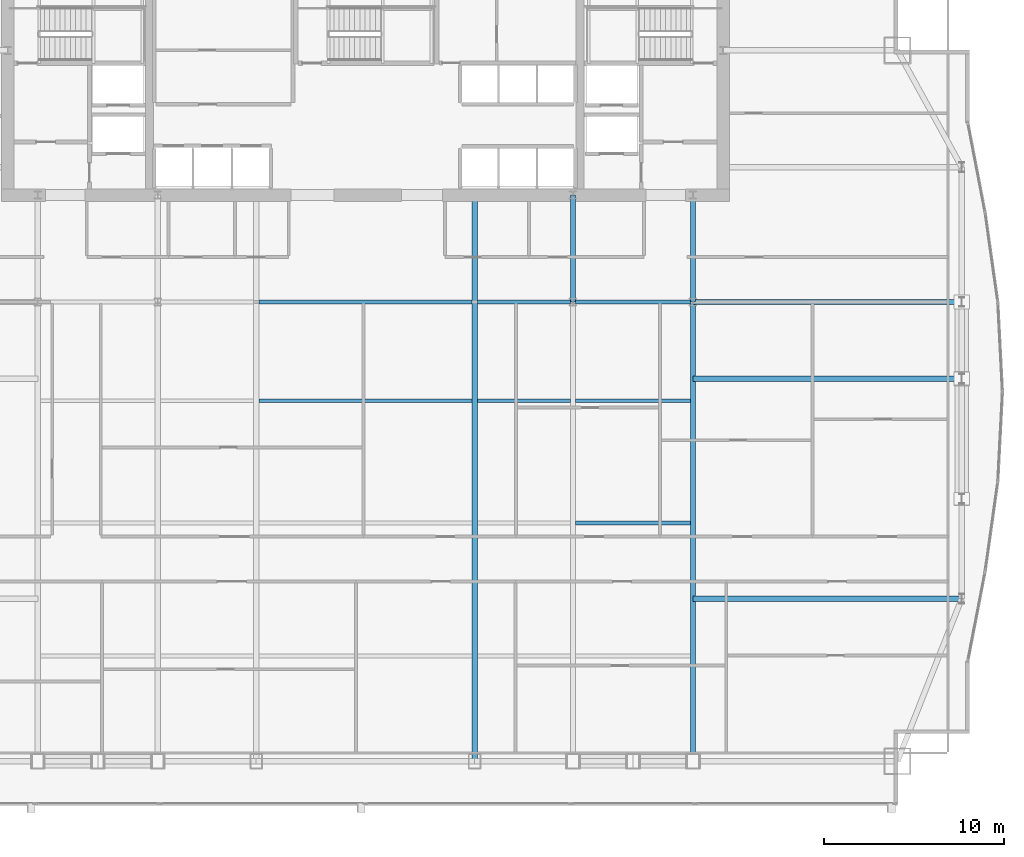
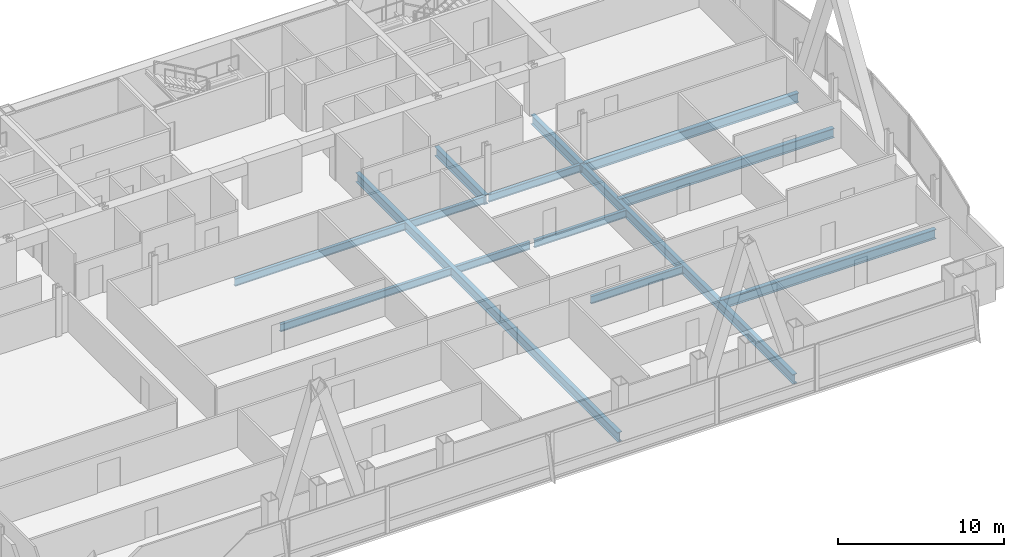
# One storey, part 16 of 33: 14 beams.
"""IFC4 building model written with IfcOpenShell, lengths in metres."""

from ifc_helpers import new_model, si_unit, direction, frame, origin, origin_2d, place, context, subcontext, project, spatial, i_section, extrude, material, material_profile, profile_set, type_object, element, save


model = new_model("IFC4")

# Units and contexts
model_context = context("Model", 3, precision=1e-05, world=origin(), true_north=direction((0.0, 1.0)))
body_context = subcontext(model_context, "Body", "Model", "MODEL_VIEW")
ifc_project = project(units=[si_unit("LENGTHUNIT", "METRE"), si_unit("AREAUNIT", "SQUARE_METRE"), si_unit("VOLUMEUNIT", "CUBIC_METRE"), si_unit("PLANEANGLEUNIT", "RADIAN"), si_unit("MASSUNIT", "GRAM", prefix="KILO")], contexts=[model_context])

# Site, building, storey
site_placement = place(None, origin())
site = spatial("IfcSite", under=ifc_project, at=site_placement, CompositionType="ELEMENT")
building_placement = place(site_placement, origin())
building = spatial("IfcBuilding", under=site, at=building_placement, Name="Khoronbel Lancet Exchange", CompositionType="ELEMENT")
storey_placement = place(building_placement, frame((0.0, 0.0, 118.199951171875)))
storey = spatial("IfcBuildingStorey", under=building, at=storey_placement, Name="L28", CompositionType="ELEMENT", Elevation=118.199951171875)

# Beams
ifc_material = material(Name="Steel S355", Category="steel")
ifc_material_profile_1 = material_profile(ifc_material, i_section(OverallWidth=0.300048828125, OverallDepth=0.699951171875, WebThickness=0.01708984375, FlangeThickness=0.031982421875, at=origin_2d()), Name="HEB 700")
ifc_profile_set_1 = profile_set([ifc_material_profile_1], Name="Steel S355")
beam_type_1 = type_object("IfcBeamType", Name="BM-BG3", PredefinedType="BEAM", material=ifc_profile_set_1)
beam_1_placement = place(storey_placement, frame((42.52490234375, 10.14990234375, -0.510009765625), z_axis=(0.0, 1.0, 0.0), x_axis=(-1.0, 0.0, 0.0)))
element("IfcBeam", 1, at=beam_1_placement, inside=storey, type_object=beam_type_1, Name="Level L28 primary floor girder G4", PredefinedType="BEAM", context=body_context, shape_type="SweptSolid", body=[
    extrude(i_section(OverallWidth=0.300048828125, OverallDepth=0.699951171875, WebThickness=0.01708984375, FlangeThickness=0.031982421875, at=origin_2d()), origin(), (0.0, 0.0, 1.0), 31.5),
])
beam_2_placement = place(storey_placement, frame((48.0, 35.699951171875, -0.510009765625), z_axis=(0.0, 1.0, 0.0), x_axis=(-1.0, 0.0, 0.0)))
element("IfcBeam", 2, at=beam_2_placement, inside=storey, type_object=beam_type_1, Name="Level L28 spine tie girder GN5", PredefinedType="BEAM", context=body_context, shape_type="SweptSolid", body=[
    extrude(i_section(OverallWidth=0.300048828125, OverallDepth=0.699951171875, WebThickness=0.01708984375, FlangeThickness=0.031982421875, at=origin_2d()), origin(), (0.0, 0.0, 1.0), 5.949951171875),
])
beam_3_placement = place(storey_placement, frame((54.675048828125, 10.14990234375, -0.510009765625), z_axis=(0.0, 1.0, 0.0), x_axis=(-1.0, 0.0, 0.0)))
element("IfcBeam", 3, at=beam_3_placement, inside=storey, type_object=beam_type_1, Name="Level L28 south primary girder GS6", PredefinedType="BEAM", context=body_context, shape_type="SweptSolid", body=[
    extrude(i_section(OverallWidth=0.300048828125, OverallDepth=0.699951171875, WebThickness=0.01708984375, FlangeThickness=0.031982421875, at=origin_2d()), origin(), (0.0, 0.0, 1.0), 25.550048828125),
])
beam_4_placement = place(storey_placement, frame((54.675048828125, 35.699951171875, -0.510009765625), z_axis=(0.0, 1.0, 0.0), x_axis=(-1.0, 0.0, 0.0)))
element("IfcBeam", 4, at=beam_4_placement, inside=storey, type_object=beam_type_1, Name="Level L28 spine tie girder GN6", PredefinedType="BEAM", context=body_context, shape_type="SweptSolid", body=[
    extrude(i_section(OverallWidth=0.300048828125, OverallDepth=0.699951171875, WebThickness=0.01708984375, FlangeThickness=0.031982421875, at=origin_2d()), origin(), (0.0, 0.0, 1.0), 5.949951171875),
])
for number, where, z_axis, x_axis, name in (
    (5, (54.675048828125, 19.199951171875, -0.510009765625), (1.0, 0.0, 0.0), (0.0, 1.0, 0.0), "Level L28 east lens tie girder LG1E"),
    (6, (54.675048828125, 31.425048828125, -0.510009765625), (1.0, 0.0, 0.0), (0.0, 1.0, 0.0), "Level L28 east lens tie girder LG2E"),
    (7, (54.675048828125, 35.699951171875, -0.510009765625), (1.0, 0.0, 0.0), (0.0, 1.0, 0.0), "Level L28 east lens tie girder LG4E"),
):
    element("IfcBeam", number, at=place(storey_placement, frame(where, z_axis=z_axis, x_axis=x_axis)), inside=storey, type_object=beam_type_1, Name=name, PredefinedType="BEAM", context=body_context, shape_type="SweptSolid", body=[
        extrude(i_section(OverallWidth=0.300048828125, OverallDepth=0.699951171875, WebThickness=0.01708984375, FlangeThickness=0.031982421875, at=origin_2d()), origin(), (0.0, 0.0, 1.0), 14.954833984375),
    ])
ifc_material_profile_2 = material_profile(ifc_material, i_section(OverallWidth=0.2099609375, OverallDepth=0.550048828125, WebThickness=0.010986328125, FlangeThickness=0.01708984375, at=origin_2d()), Name="IPE 550")
ifc_profile_set_2 = profile_set([ifc_material_profile_2], Name="Steel S355")
beam_type_2 = type_object("IfcBeamType", Name="BM-BJ2", PredefinedType="JOIST", material=ifc_profile_set_2)
beam_5_placement = place(storey_placement, frame((48.14990234375, 23.39990234375, -0.43505859375), z_axis=(1.0, 0.0, 0.0), x_axis=(0.0, 1.0, 0.0)))
element("IfcBeam", 8, at=beam_5_placement, inside=storey, type_object=beam_type_2, Name="Level L28 secondary composite joist J10", PredefinedType="JOIST", context=body_context, shape_type="SweptSolid", body=[
    extrude(i_section(OverallWidth=0.2099609375, OverallDepth=0.550048828125, WebThickness=0.010986328125, FlangeThickness=0.01708984375, at=origin_2d()), origin(), (0.0, 0.0, 1.0), 6.375),
])
beam_6_placement = place(storey_placement, frame((30.52490234375, 30.199951171875, -0.43505859375), z_axis=(1.0, 0.0, 0.0), x_axis=(0.0, 1.0, 0.0)))
element("IfcBeam", 9, at=beam_6_placement, inside=storey, type_object=beam_type_2, Name="Level L28 secondary composite joist J13", PredefinedType="JOIST", context=body_context, shape_type="SweptSolid", body=[
    extrude(i_section(OverallWidth=0.2099609375, OverallDepth=0.550048828125, WebThickness=0.010986328125, FlangeThickness=0.01708984375, at=origin_2d()), origin(), (0.0, 0.0, 1.0), 11.85009765625),
])
beam_7_placement = place(storey_placement, frame((42.675048828125, 30.199951171875, -0.43505859375), z_axis=(1.0, 0.0, 0.0), x_axis=(0.0, 1.0, 0.0)))
element("IfcBeam", 10, at=beam_7_placement, inside=storey, type_object=beam_type_2, Name="Level L28 secondary composite joist J14", PredefinedType="JOIST", context=body_context, shape_type="SweptSolid", body=[
    extrude(i_section(OverallWidth=0.2099609375, OverallDepth=0.550048828125, WebThickness=0.010986328125, FlangeThickness=0.01708984375, at=origin_2d()), origin(), (0.0, 0.0, 1.0), 5.175048828125),
])
beam_8_placement = place(storey_placement, frame((48.14990234375, 30.199951171875, -0.43505859375), z_axis=(1.0, 0.0, 0.0), x_axis=(0.0, 1.0, 0.0)))
element("IfcBeam", 11, at=beam_8_placement, inside=storey, type_object=beam_type_2, Name="Level L28 secondary composite joist J15", PredefinedType="JOIST", context=body_context, shape_type="SweptSolid", body=[
    extrude(i_section(OverallWidth=0.2099609375, OverallDepth=0.550048828125, WebThickness=0.010986328125, FlangeThickness=0.01708984375, at=origin_2d()), origin(), (0.0, 0.0, 1.0), 6.375),
])
beam_9_placement = place(storey_placement, frame((30.52490234375, 35.699951171875, -0.43505859375), z_axis=(1.0, 0.0, 0.0), x_axis=(0.0, 1.0, 0.0)))
element("IfcBeam", 12, at=beam_9_placement, inside=storey, type_object=beam_type_2, Name="Level L28 secondary composite joist J18", PredefinedType="JOIST", context=body_context, shape_type="SweptSolid", body=[
    extrude(i_section(OverallWidth=0.2099609375, OverallDepth=0.550048828125, WebThickness=0.010986328125, FlangeThickness=0.01708984375, at=origin_2d()), origin(), (0.0, 0.0, 1.0), 11.85009765625),
])
beam_10_placement = place(storey_placement, frame((42.675048828125, 35.699951171875, -0.43505859375), z_axis=(1.0, 0.0, 0.0), x_axis=(0.0, 1.0, 0.0)))
element("IfcBeam", 13, at=beam_10_placement, inside=storey, type_object=beam_type_2, Name="Level L28 secondary composite joist J19", PredefinedType="JOIST", context=body_context, shape_type="SweptSolid", body=[
    extrude(i_section(OverallWidth=0.2099609375, OverallDepth=0.550048828125, WebThickness=0.010986328125, FlangeThickness=0.01708984375, at=origin_2d()), origin(), (0.0, 0.0, 1.0), 5.175048828125),
])
beam_11_placement = place(storey_placement, frame((48.14990234375, 35.699951171875, -0.43505859375), z_axis=(1.0, 0.0, 0.0), x_axis=(0.0, 1.0, 0.0)))
element("IfcBeam", 14, at=beam_11_placement, inside=storey, type_object=beam_type_2, Name="Level L28 secondary composite joist J20", PredefinedType="JOIST", context=body_context, shape_type="SweptSolid", body=[
    extrude(i_section(OverallWidth=0.2099609375, OverallDepth=0.550048828125, WebThickness=0.010986328125, FlangeThickness=0.01708984375, at=origin_2d()), origin(), (0.0, 0.0, 1.0), 6.375),
])

save(model, "model.ifc")
